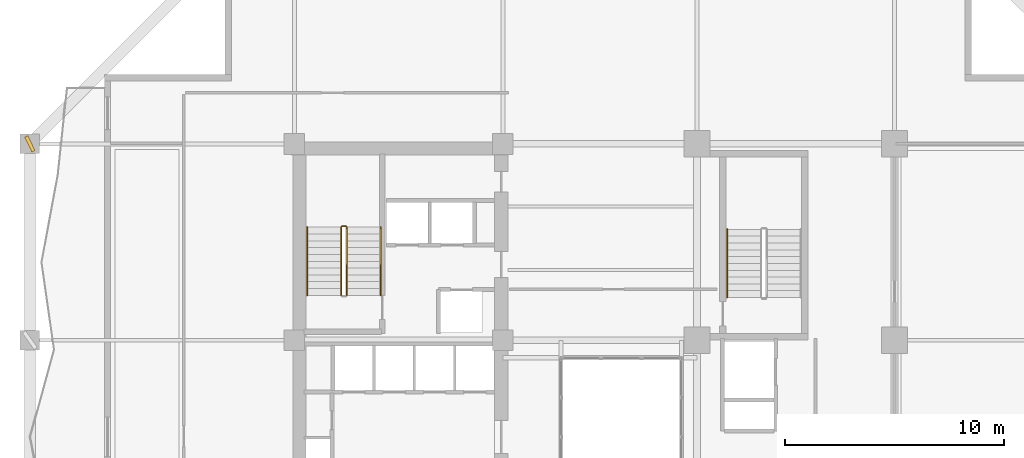
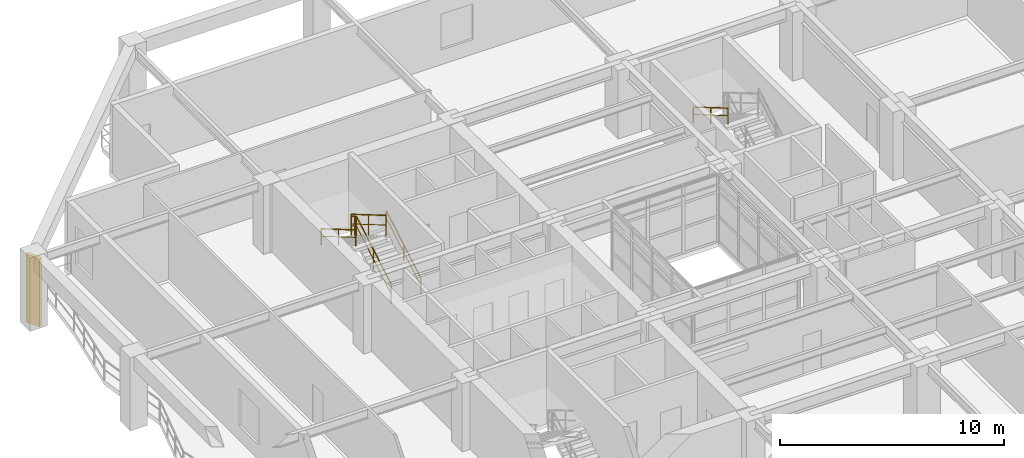
# One storey, part 14 of 17: 6 railings, 1 shading device.
"""IFC4 building model written with IfcOpenShell, lengths in metres."""

from ifc_helpers import new_model, si_unit, direction, frame, origin, origin_2d, place, context, subcontext, project, spatial, rectangle, extrude, material, type_object, element, save


model = new_model("IFC4")

# Units and contexts
model_context = context("Model", 3, precision=1e-05, world=origin(), true_north=direction((0.0, 1.0)))
body_context = subcontext(model_context, "Body", "Model", "MODEL_VIEW")
ifc_project = project(units=[si_unit("LENGTHUNIT", "METRE"), si_unit("AREAUNIT", "SQUARE_METRE"), si_unit("VOLUMEUNIT", "CUBIC_METRE"), si_unit("PLANEANGLEUNIT", "RADIAN"), si_unit("MASSUNIT", "GRAM", prefix="KILO")], contexts=[model_context])

# Site, building, storey
site_placement = place(None, origin())
site = spatial("IfcSite", under=ifc_project, at=site_placement, CompositionType="ELEMENT")
building_placement = place(site_placement, origin())
building = spatial("IfcBuilding", under=site, at=building_placement, Name="Kundavana Baori Tower", CompositionType="ELEMENT")
storey_placement = place(building_placement, frame((0.0, 0.0, 30.0)))
storey = spatial("IfcBuildingStorey", under=building, at=storey_placement, Name="L06", CompositionType="ELEMENT", Elevation=30.0)

# Railings
ifc_material_1 = material(Name="Architectural Patinated Bronze Metalwork")
railing_type_1 = type_object("IfcRailingType", Name="RL-GRD-1150", PredefinedType="GUARDRAIL", material=ifc_material_1)
railing_1_placement = place(storey_placement, frame((17.840087890625, 35.050048828125, 0.181884765625)))
element("IfcRailing", 1, at=railing_1_placement, inside=storey, type_object=railing_type_1, Name="L06 ST2 stair guard 1", PredefinedType="GUARDRAIL", context=body_context, shape_type="SweptSolid", body=[
    extrude(rectangle(XDim=0.048095703125, YDim=0.048095703125, at=origin_2d()), frame((0.0, 0.0, 1.1259765625), z_axis=(0.0, 0.86258143422, 0.50591824373), x_axis=(-1.0, 0.0, 0.0)), (0.0, 0.0, 1.0), 3.59375),
    extrude(rectangle(XDim=0.03125, YDim=0.03125, at=origin_2d()), frame((0.0, 0.0, 0.597900390625), z_axis=(0.0, 0.86258143422, 0.50591824373), x_axis=(-1.0, 0.0, 0.0)), (0.0, 0.0, 1.0), 3.59375),
    extrude(rectangle(XDim=0.0419921875, YDim=0.0419921875, at=origin_2d()), origin(), (0.0, 0.0, 1.0), 1.101806640625),
    extrude(rectangle(XDim=0.0419921875, YDim=0.0419921875, at=origin_2d()), frame((0.0, 1.5498046875, 0.9091796875)), (0.0, 0.0, 1.0), 1.101806640625),
    extrude(rectangle(XDim=0.0419921875, YDim=0.0419921875, at=origin_2d()), frame((0.0, 3.099853515625, 1.818115234375)), (0.0, 0.0, 1.0), 1.101806640625),
])
railing_2_placement = place(storey_placement, frame((17.7900390625, 38.199951171875, 2.0)))
element("IfcRailing", 2, at=railing_2_placement, inside=storey, type_object=railing_type_1, Name="L06 ST2 stair guard 2", PredefinedType="GUARDRAIL", context=body_context, shape_type="SweptSolid", body=[
    extrude(rectangle(XDim=0.048095703125, YDim=0.048095703125, at=origin_2d()), frame((0.0, 0.0, 1.1259765625), z_axis=(-1.0, 0.0, 0.0), x_axis=(0.0, -1.0, 0.0)), (0.0, 0.0, 1.0), 0.16015625),
    extrude(rectangle(XDim=0.03125, YDim=0.03125, at=origin_2d()), frame((0.0, 0.0, 0.597900390625), z_axis=(-1.0, 0.0, 0.0), x_axis=(0.0, -1.0, 0.0)), (0.0, 0.0, 1.0), 0.16015625),
    extrude(rectangle(XDim=0.0419921875, YDim=0.0419921875, at=origin_2d()), origin(), (0.0, 0.0, 1.0), 1.101806640625),
    extrude(rectangle(XDim=0.0419921875, YDim=0.0419921875, at=origin_2d()), frame((-0.16015625, 0.0, 0.0)), (0.0, 0.0, 1.0), 1.101806640625),
])
railing_3_placement = place(storey_placement, frame((17.580078125, 38.14990234375, 2.181884765625)))
element("IfcRailing", 3, at=railing_3_placement, inside=storey, type_object=railing_type_1, Name="L06 ST2 stair guard 3", PredefinedType="GUARDRAIL", context=body_context, shape_type="SweptSolid", body=[
    extrude(rectangle(XDim=0.048095703125, YDim=0.048095703125, at=origin_2d()), frame((0.0, 0.0, 1.1259765625), z_axis=(0.0, -0.86258143422, 0.50591824373), x_axis=(1.0, 0.0, 0.0)), (0.0, 0.0, 1.0), 3.59375),
    extrude(rectangle(XDim=0.03125, YDim=0.03125, at=origin_2d()), frame((0.0, 0.0, 0.597900390625), z_axis=(0.0, -0.86258143422, 0.50591824373), x_axis=(1.0, 0.0, 0.0)), (0.0, 0.0, 1.0), 3.59375),
    extrude(rectangle(XDim=0.0419921875, YDim=0.0419921875, at=origin_2d()), origin(), (0.0, 0.0, 1.0), 1.101806640625),
    extrude(rectangle(XDim=0.0419921875, YDim=0.0419921875, at=origin_2d()), frame((0.0, -1.5498046875, 0.9091796875)), (0.0, 0.0, 1.0), 1.101806640625),
    extrude(rectangle(XDim=0.0419921875, YDim=0.0419921875, at=origin_2d()), frame((0.0, -3.099853515625, 1.818115234375)), (0.0, 0.0, 1.0), 1.101806640625),
])
ifc_material_2 = material(Name="Architectural Patinated Bronze Metalwork")
railing_type_2 = type_object("IfcRailingType", Name="RL-HND-920", PredefinedType="HANDRAIL", material=ifc_material_2)
railing_4_placement = place(storey_placement, frame((19.389892578125, 35.050048828125, 0.181884765625)))
element("IfcRailing", 4, at=railing_4_placement, inside=storey, type_object=railing_type_2, Name="L06 ST2 stair handrail 1", PredefinedType="HANDRAIL", context=body_context, shape_type="SweptSolid", body=[
    extrude(rectangle(XDim=0.048095703125, YDim=0.048095703125, at=origin_2d()), frame((0.0, 0.0, 0.8759765625), z_axis=(0.0, 0.86258143422, 0.50591824373), x_axis=(-1.0, 0.0, 0.0)), (0.0, 0.0, 1.0), 3.59375),
    extrude(rectangle(XDim=0.03125, YDim=0.03125, at=origin_2d()), frame((0.0, 0.0, 0.468017578125), z_axis=(0.0, 0.86258143422, 0.50591824373), x_axis=(-1.0, 0.0, 0.0)), (0.0, 0.0, 1.0), 3.59375),
    extrude(rectangle(XDim=0.0419921875, YDim=0.0419921875, at=origin_2d()), origin(), (0.0, 0.0, 1.0), 0.851806640625),
    extrude(rectangle(XDim=0.0419921875, YDim=0.0419921875, at=origin_2d()), frame((0.0, 1.5498046875, 0.9091796875)), (0.0, 0.0, 1.0), 0.851806640625),
    extrude(rectangle(XDim=0.0419921875, YDim=0.0419921875, at=origin_2d()), frame((0.0, 3.099853515625, 1.818115234375)), (0.0, 0.0, 1.0), 0.851806640625),
])
railing_5_placement = place(storey_placement, frame((16.030029296875, 38.14990234375, 2.181884765625)))
element("IfcRailing", 5, at=railing_5_placement, inside=storey, type_object=railing_type_2, Name="L06 ST2 stair handrail 2", PredefinedType="HANDRAIL", context=body_context, shape_type="SweptSolid", body=[
    extrude(rectangle(XDim=0.048095703125, YDim=0.048095703125, at=origin_2d()), frame((0.0, 0.0, 0.8759765625), z_axis=(0.0, -0.86258143422, 0.50591824373), x_axis=(1.0, 0.0, 0.0)), (0.0, 0.0, 1.0), 3.59375),
    extrude(rectangle(XDim=0.03125, YDim=0.03125, at=origin_2d()), frame((0.0, 0.0, 0.468017578125), z_axis=(0.0, -0.86258143422, 0.50591824373), x_axis=(1.0, 0.0, 0.0)), (0.0, 0.0, 1.0), 3.59375),
    extrude(rectangle(XDim=0.0419921875, YDim=0.0419921875, at=origin_2d()), origin(), (0.0, 0.0, 1.0), 0.851806640625),
    extrude(rectangle(XDim=0.0419921875, YDim=0.0419921875, at=origin_2d()), frame((0.0, -1.5498046875, 0.9091796875)), (0.0, 0.0, 1.0), 0.851806640625),
    extrude(rectangle(XDim=0.0419921875, YDim=0.0419921875, at=origin_2d()), frame((0.0, -3.099853515625, 1.818115234375)), (0.0, 0.0, 1.0), 0.851806640625),
])
railing_6_placement = place(storey_placement, frame((35.169921875, 38.050048828125, 2.181884765625)))
element("IfcRailing", 6, at=railing_6_placement, inside=storey, type_object=railing_type_2, Name="L06 ST3 stair handrail 2", PredefinedType="HANDRAIL", context=body_context, shape_type="SweptSolid", body=[
    extrude(rectangle(XDim=0.048095703125, YDim=0.048095703125, at=origin_2d()), frame((0.0, 0.0, 0.8759765625), z_axis=(0.0, -0.862598821094, 0.505888598258), x_axis=(1.0, 0.0, 0.0)), (0.0, 0.0, 1.0), 3.593994140625),
    extrude(rectangle(XDim=0.03125, YDim=0.03125, at=origin_2d()), frame((0.0, 0.0, 0.468017578125), z_axis=(0.0, -0.862598821094, 0.505888598258), x_axis=(1.0, 0.0, 0.0)), (0.0, 0.0, 1.0), 3.593994140625),
    extrude(rectangle(XDim=0.0419921875, YDim=0.0419921875, at=origin_2d()), origin(), (0.0, 0.0, 1.0), 0.851806640625),
    extrude(rectangle(XDim=0.0419921875, YDim=0.0419921875, at=origin_2d()), frame((0.0, -1.550048828125, 0.9091796875)), (0.0, 0.0, 1.0), 0.851806640625),
    extrude(rectangle(XDim=0.0419921875, YDim=0.0419921875, at=origin_2d()), frame((0.0, -3.10009765625, 1.818115234375)), (0.0, 0.0, 1.0), 0.851806640625),
])

# Shading device
ifc_material_3 = material(Name="Red-Buff Dholpur Sandstone Cladding on Concrete C40/50", Category="masonry")
shading_device_type = type_object("IfcShadingDeviceType", Name="SHD-FIN-750", PredefinedType="JALOUSIE", material=ifc_material_3)
shading_device_placement = place(storey_placement, frame((3.39990234375, 41.949951171875, 0.0), z_axis=(0.0, 0.0, 1.0), x_axis=(0.900698239323, 0.434445257404, 0.0)))
element("IfcShadingDevice", 7, at=shading_device_placement, inside=storey, type_object=shading_device_type, Name="L06 Sweeping Dholpur Sandstone Facade Fin 8", PredefinedType="JALOUSIE", context=body_context, shape_type="SweptSolid", body=[
    extrude(rectangle(XDim=0.159912109375, YDim=0.75, at=origin_2d()), origin(), (0.0, 0.0, 1.0), 3.719970703125),
])

save(model, "model.ifc")
